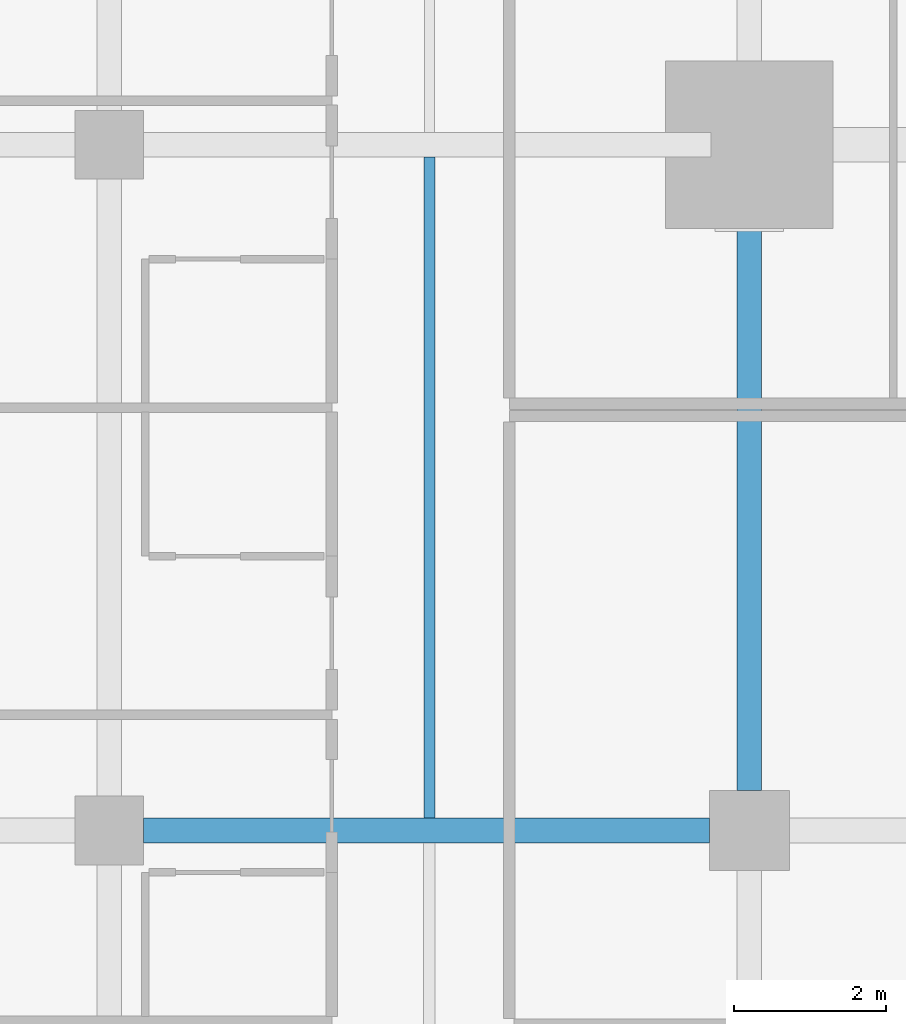
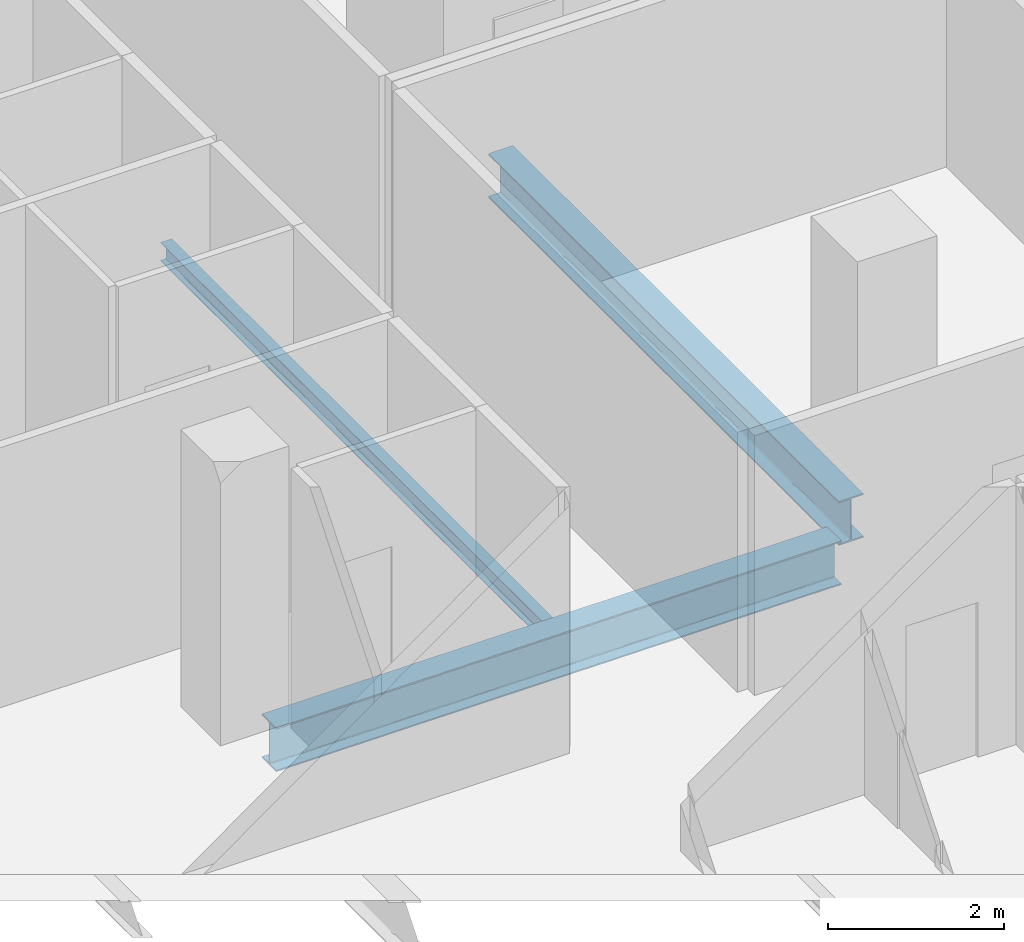
# One storey, part 11 of 41: 3 beams.
"""IFC4 building model written with IfcOpenShell, lengths in metres."""

import ifcopenshell
import ifcopenshell.guid

model = None  # the IFC model being written
_history = None  # IfcOwnerHistory: only IFC2X3 demands one
_inside = {}  # id of a spatial element -> (the spatial element, [elements in it])
_under = {}  # id of a project, library or spatial element -> (it, [spatial elements below it])
_declared = {}  # id of a project -> (the project, [libraries it declares])
_typed = {}  # id of a type object -> (the type object, [elements of that type])
_made_of = {}  # id of a material, layer set ... -> (it, [elements and type objects made of it])


def new_model(schema):
    """Start an empty IFC model of exactly this schema.

    Asked for "IFC4X3", IfcOpenShell would pick the latest addendum, in which some entities
    have other attributes; the version numbers below select the first issue.
    IFC2X3 requires an IfcOwnerHistory on every rooted entity: one is made here for all.
    """
    global model, _history
    if schema == "IFC4X3":
        model = ifcopenshell.file(schema_version=(4, 3, 0, 0))
    else:
        model = ifcopenshell.file(schema=schema)
    _inside.clear()
    _under.clear()
    _declared.clear()
    _typed.clear()
    _made_of.clear()
    _history = None
    if model.schema == "IFC2X3":
        org = make("IfcOrganization", Name="unknown")
        user = make(
            "IfcPersonAndOrganization",
            ThePerson=make("IfcPerson", FamilyName="unknown"),
            TheOrganization=org,
        )
        app = make(
            "IfcApplication",
            ApplicationDeveloper=org,
            Version="unknown",
            ApplicationFullName="unknown",
            ApplicationIdentifier="unknown",
        )
        _history = make(
            "IfcOwnerHistory",
            OwningUser=user,
            OwningApplication=app,
            ChangeAction="ADDED",
            CreationDate=0,
        )
    return model


def make(cls, **values):
    """One entity of the class cls with the attributes given. An attribute that is None is left unset."""
    return model.create_entity(
        cls, **{name: value for name, value in values.items() if value is not None}
    )


def rooted(cls, **values):
    """An entity with a GlobalId (a new one), such as an element, a storey or a relation."""
    return make(cls, GlobalId=ifcopenshell.guid.new(), OwnerHistory=_history, **values)


def si_unit(unit_type, name, prefix=None):
    """IfcSIUnit, for example si_unit("LENGTHUNIT", "METRE", prefix="MILLI")."""
    return make("IfcSIUnit", UnitType=unit_type, Prefix=prefix, Name=name)


def assignment(units):
    """IfcUnitAssignment: the units of a project."""
    return None if units is None else make("IfcUnitAssignment", Units=units)


def point(xyz):
    """IfcCartesianPoint."""
    return None if xyz is None else make("IfcCartesianPoint", Coordinates=xyz)


def direction(xyz):
    """IfcDirection."""
    return None if xyz is None else make("IfcDirection", DirectionRatios=xyz)


def frame(location, z_axis=None, x_axis=None):
    """IfcAxis2Placement3D, a coordinate frame: its origin and axes. An axis left out is left unset."""
    return make(
        "IfcAxis2Placement3D",
        Location=point(location),
        Axis=direction(z_axis),
        RefDirection=direction(x_axis),
    )


def frame_2d(location, x_axis=None):
    """IfcAxis2Placement2D, a coordinate frame in the plane: its origin and x axis."""
    return make(
        "IfcAxis2Placement2D", Location=point(location), RefDirection=direction(x_axis)
    )


def origin():
    """The frame at (0, 0, 0) with its axes left unset."""
    return frame((0.0, 0.0, 0.0))


def origin_2d():
    """The frame at (0, 0) in the plane with its x axis left unset."""
    return frame_2d((0.0, 0.0))


def place(relative_to, where):
    """IfcLocalPlacement: puts the frame where relative to a parent placement (None: the world)."""
    return make(
        "IfcLocalPlacement", PlacementRelTo=relative_to, RelativePlacement=where
    )


def context(
    kind, dimensions, precision=None, world=None, true_north=None, identifier=None
):
    """IfcGeometricRepresentationContext, for example the 3D "Model" context."""
    return make(
        "IfcGeometricRepresentationContext",
        ContextIdentifier=identifier,
        ContextType=kind,
        CoordinateSpaceDimension=dimensions,
        Precision=precision,
        WorldCoordinateSystem=world,
        TrueNorth=true_north,
    )


def subcontext(parent, identifier, kind, view, scale=None):
    """IfcGeometricRepresentationSubContext, for example "Body" below "Model"."""
    return make(
        "IfcGeometricRepresentationSubContext",
        ContextIdentifier=identifier,
        ContextType=kind,
        ParentContext=parent,
        TargetScale=scale,
        TargetView=view,
    )


def project(units=None, contexts=None):
    """IfcProject with its units and contexts."""
    return rooted(
        "IfcProject",
        Name="project",
        RepresentationContexts=contexts,
        UnitsInContext=assignment(units),
    )


def spatial(cls, under=None, at=None, **own):
    """A site, building, storey or space (cls), placed at a placement, below another one or the project."""
    s = rooted(cls, ObjectPlacement=at, **own)
    if under is not None:
        _under.setdefault(under.id(), (under, []))[1].append(s)
    return s


def profile(cls, at=None, kind="AREA", **sizes):
    """A parametric profile (cls). Its sizes go by their IFC names, for example OverallWidth=200.0."""
    return make(cls, ProfileType=kind, Position=at, **sizes)


def i_section(**sizes):
    """IfcIShapeProfileDef."""
    return profile("IfcIShapeProfileDef", **sizes)


def extrude(swept, where, along, depth):
    """IfcExtrudedAreaSolid: the profile swept, set in the frame where, extruded along a direction by depth."""
    return make(
        "IfcExtrudedAreaSolid",
        SweptArea=swept,
        Position=where,
        ExtrudedDirection=direction(along),
        Depth=depth,
    )


def shape(context_of_items, identifier, shape_type, items):
    """IfcShapeRepresentation: the items that make up one representation, for example the "Body"."""
    return make(
        "IfcShapeRepresentation",
        ContextOfItems=context_of_items,
        RepresentationIdentifier=identifier,
        RepresentationType=shape_type,
        Items=items,
    )


def material(Name=None, Category=None):
    """IfcMaterial."""
    return make("IfcMaterial", Name=Name, Category=Category)


def material_profile(
    of_material, cross_section, Name=None, Category=None, Priority=None
):
    """IfcMaterialProfile: a cross section and its material."""
    return make(
        "IfcMaterialProfile",
        Name=Name,
        Material=of_material,
        Profile=cross_section,
        Priority=Priority,
        Category=Category,
    )


def profile_set(profiles, Name=None, composite=None):
    """IfcMaterialProfileSet."""
    return make(
        "IfcMaterialProfileSet",
        Name=Name,
        MaterialProfiles=profiles,
        CompositeProfile=composite,
    )


def made_of(thing, what):
    """Note that an element or type object is made of a material, layer set ...; save() writes the relation."""
    if what is not None:
        _made_of.setdefault(what.id(), (what, []))[1].append(thing)
    return thing


def type_object(cls, material=None, **own):
    """A type object (cls), such as IfcWallType, which elements share."""
    return made_of(rooted(cls, **own), material)


def element(
    cls,
    number,
    at=None,
    inside=None,
    cuts=None,
    type_object=None,
    material=None,
    context=None,
    identifier="Body",
    shape_type=None,
    held_by="IfcProductDefinitionShape",
    body=None,
    shapes=None,
    **own,
):
    """One element of the class cls, such as IfcWall. Its Tag is "e" and its number.

    at: its placement. inside: the storey or other place that contains it. cuts: it is an
    opening in that element (IfcRelVoidsElement). A single representation is given by context,
    identifier, shape_type and body (its items); several are given by shapes. held_by: the class
    of the entity that holds the representations. save() writes the other relations.
    """
    e = rooted(cls, Tag="e%d" % number, ObjectPlacement=at, **own)
    if body is not None:
        shapes = [shape(context, identifier, shape_type, body)]
    if shapes is not None:
        e.Representation = make(held_by, Representations=shapes)
    if inside is not None:
        _inside.setdefault(inside.id(), (inside, []))[1].append(e)
    if cuts is not None:
        rooted(
            "IfcRelVoidsElement", RelatingBuildingElement=cuts, RelatedOpeningElement=e
        )
    if type_object is not None:
        _typed.setdefault(type_object.id(), (type_object, []))[1].append(e)
    return made_of(e, material)


def aggregate(whole, parts):
    """IfcRelAggregates: a whole, such as a stair, and the parts it consists of."""
    return rooted("IfcRelAggregates", RelatingObject=whole, RelatedObjects=parts)


def save(model, path):
    """Write the relations noted so far, then the file.

    IfcRelAggregates (storeys below a building ...), IfcRelContainedInSpatialStructure (elements
    in a storey), IfcRelDefinesByType, IfcRelAssociatesMaterial and IfcRelDeclares: one each for
    every whole, place, type object, material and project.
    """
    for whole, parts in _under.values():
        aggregate(whole, parts)
    for where, things in _inside.values():
        rooted(
            "IfcRelContainedInSpatialStructure",
            RelatedElements=things,
            RelatingStructure=where,
        )
    for kind, things in _typed.values():
        rooted("IfcRelDefinesByType", RelatedObjects=things, RelatingType=kind)
    for what, things in _made_of.values():
        rooted("IfcRelAssociatesMaterial", RelatedObjects=things, RelatingMaterial=what)
    for by, libraries in _declared.values():
        rooted("IfcRelDeclares", RelatingContext=by, RelatedDefinitions=libraries)
    model.write(path)


model = new_model("IFC4")

# Units and contexts
model_context = context("Model", 3, precision=1e-05, world=origin(), true_north=direction((0.0, 1.0)))
body_context = subcontext(model_context, "Body", "Model", "MODEL_VIEW")
ifc_project = project(units=[si_unit("LENGTHUNIT", "METRE"), si_unit("AREAUNIT", "SQUARE_METRE"), si_unit("VOLUMEUNIT", "CUBIC_METRE"), si_unit("PLANEANGLEUNIT", "RADIAN"), si_unit("MASSUNIT", "GRAM", prefix="KILO")], contexts=[model_context])

# Site, building, storey
site_placement = place(None, origin())
site = spatial("IfcSite", under=ifc_project, at=site_placement, CompositionType="ELEMENT")
building_placement = place(site_placement, origin())
building = spatial("IfcBuilding", under=site, at=building_placement, Name="Maruvema Waterfront Hotel and Observation Tower", CompositionType="ELEMENT")
storey_placement = place(building_placement, frame((0.0, 0.0, 84.699951171875)))
storey = spatial("IfcBuildingStorey", under=building, at=storey_placement, Name="L20", CompositionType="ELEMENT", Elevation=84.699951171875)

# Beams
ifc_material_1 = material(Name="Steel ASTM A572 Grade 50", Category="steel")
ifc_material_profile_1 = material_profile(ifc_material_1, i_section(OverallWidth=0.323974609375, OverallDepth=0.611083984375, WebThickness=0.0126953125, FlangeThickness=0.01904296875, FilletRadius=0.01806640625, at=origin_2d()), Name="W610x155.0")
ifc_profile_set_1 = profile_set([ifc_material_profile_1], Name="Steel ASTM A572 Grade 50")
beam_type_1 = type_object("IfcBeamType", Name="Primary Floor Girder W610x155.0", PredefinedType="BEAM", material=ifc_profile_set_1)
beam_1_placement = place(storey_placement, frame((17.25, 18.0, -0.54541015625), z_axis=(1.0, 0.0, 0.0), x_axis=(0.0, 1.0, 0.0)))
element("IfcBeam", 1, at=beam_1_placement, inside=storey, type_object=beam_type_1, Name="L20 Floor Girder EW-14", PredefinedType="BEAM", context=body_context, shape_type="SweptSolid", body=[
    extrude(i_section(OverallWidth=0.323974609375, OverallDepth=0.611083984375, WebThickness=0.0126953125, FlangeThickness=0.01904296875, FilletRadius=0.01806640625, at=origin_2d()), origin(), (0.0, 0.0, 1.0), 7.425048828125),
])
beam_2_placement = place(storey_placement, frame((25.199951171875, 18.52490234375, -0.54541015625), z_axis=(0.0, 1.0, 0.0), x_axis=(-1.0, 0.0, 0.0)))
element("IfcBeam", 2, at=beam_2_placement, inside=storey, type_object=beam_type_1, Name="L20 Floor Girder NS-13", PredefinedType="BEAM", context=body_context, shape_type="SweptSolid", body=[
    extrude(i_section(OverallWidth=0.323974609375, OverallDepth=0.611083984375, WebThickness=0.0126953125, FlangeThickness=0.01904296875, FilletRadius=0.01806640625, at=origin_2d()), origin(), (0.0, 0.0, 1.0), 7.97509765625),
])
ifc_material_2 = material(Name="Steel ASTM A572 Grade 50", Category="steel")
ifc_material_profile_2 = material_profile(ifc_material_2, i_section(OverallWidth=0.14599609375, OverallDepth=0.258056640625, WebThickness=0.006103515625, FlangeThickness=0.009033203125, FilletRadius=0.012939453125, at=origin_2d()), Name="W250x32.7")
ifc_profile_set_2 = profile_set([ifc_material_profile_2], Name="Steel ASTM A572 Grade 50")
beam_type_2 = type_object("IfcBeamType", Name="Secondary Floor Joist W250x32.7", PredefinedType="JOIST", material=ifc_profile_set_2)
beam_3_placement = place(storey_placement, frame((21.0, 18.162109375, -0.368896484375), z_axis=(0.0, 1.0, 0.0), x_axis=(-1.0, 0.0, 0.0)))
element("IfcBeam", 3, at=beam_3_placement, inside=storey, type_object=beam_type_2, Name="L20 Secondary Floor Joist JS-07", PredefinedType="JOIST", context=body_context, shape_type="SweptSolid", body=[
    extrude(i_section(OverallWidth=0.14599609375, OverallDepth=0.258056640625, WebThickness=0.006103515625, FlangeThickness=0.009033203125, FilletRadius=0.012939453125, at=origin_2d()), origin(), (0.0, 0.0, 1.0), 8.67578125),
])

save(model, "model.ifc")
